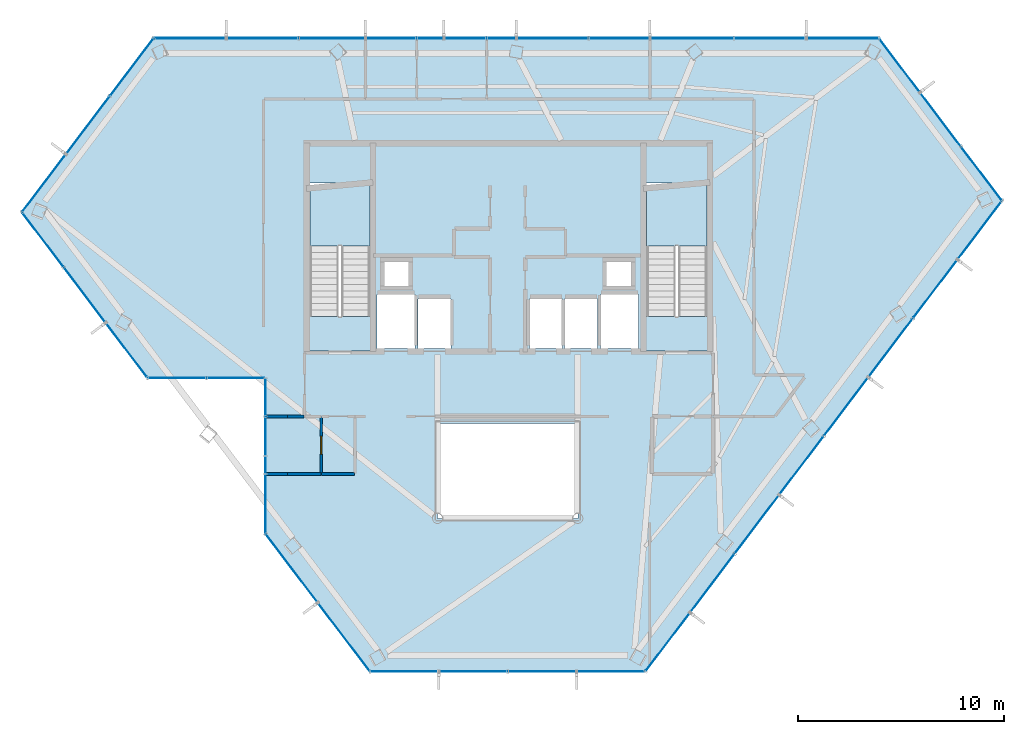
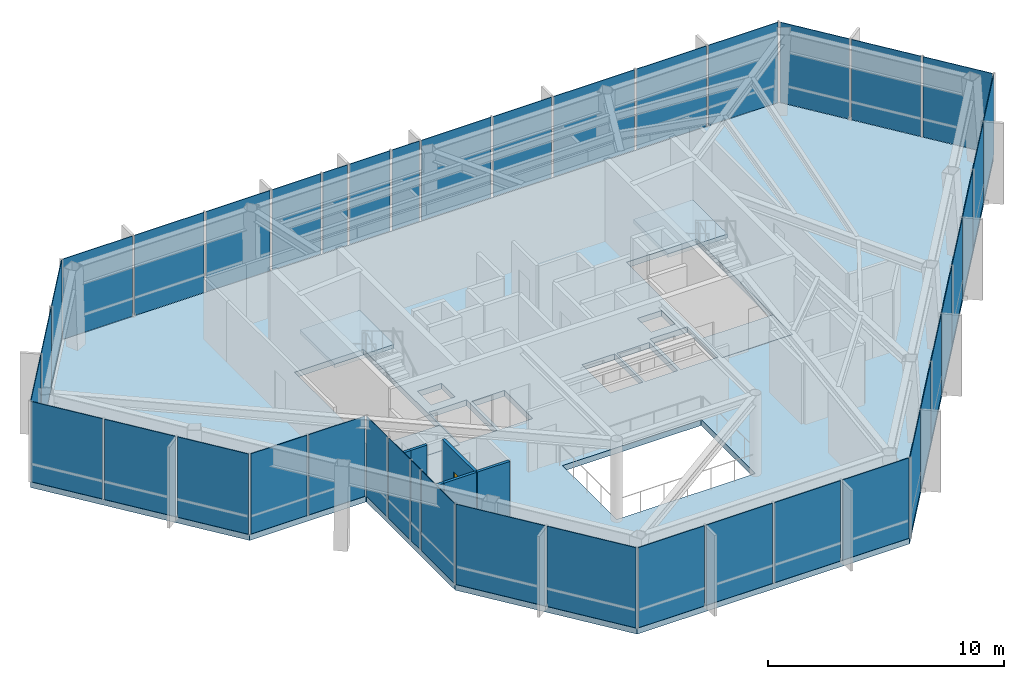
# One storey, part 18 of 22: 41 plates, 6 walls, 5 slabs, 1 door, 1 opening, 11 elements without a shape of their own.
"""IFC4 building model written with IfcOpenShell, lengths in metres."""

from ifc_helpers import new_model, si_unit, direction, frame, frame_2d, origin, origin_2d, place, context, subcontext, project, spatial, polyline, rectangle, outline, extrude, material, layer, layer_set, type_object, element, fill, aggregate, save


model = new_model("IFC4")

# Units and contexts
model_context = context("Model", 3, precision=1e-05, world=origin(), true_north=direction((0.0, 1.0)))
body_context = subcontext(model_context, "Body", "Model", "MODEL_VIEW")
ifc_project = project(units=[si_unit("LENGTHUNIT", "METRE"), si_unit("AREAUNIT", "SQUARE_METRE"), si_unit("VOLUMEUNIT", "CUBIC_METRE"), si_unit("PLANEANGLEUNIT", "RADIAN"), si_unit("MASSUNIT", "GRAM", prefix="KILO")], contexts=[model_context])

# Site, building, storey
site_placement = place(None, origin())
site = spatial("IfcSite", under=ifc_project, at=site_placement, CompositionType="ELEMENT")
building_placement = place(site_placement, origin())
building = spatial("IfcBuilding", under=site, at=building_placement, Name="Zarrinselat Tower", CompositionType="ELEMENT")
storey_placement = place(building_placement, frame((0.0, 0.0, 204.340087890625)))
storey = spatial("IfcBuildingStorey", under=building, at=storey_placement, Name="L50", CompositionType="ELEMENT", Elevation=204.340087890625)

# Curtain wall, plates
ifc_material_1 = material(Name="Extruded Aluminium Alloy EN AW-6063 T6", Category="aluminium")
ifc_layer_1 = layer(ifc_material_1, 0.195068359375)
ifc_layer_set_1 = layer_set([ifc_layer_1], Name="Extruded Aluminium Alloy EN AW-6063 T6")
curtain_wall_type_1 = type_object("IfcCurtainWallType", Name="CWS-GDN", PredefinedType="NOTDEFINED", material=ifc_layer_set_1)
curtain_wall_1_placement = place(storey_placement, origin())
curtain_wall_1 = element("IfcCurtainWall", 1, at=curtain_wall_1_placement, inside=storey, type_object=curtain_wall_type_1, Name="L50 Unitised Curtain Wall CW-L50-E01", PredefinedType="NOTDEFINED")
ifc_material_2 = material(Name="Double Low-E Laminated Solar Glass", Category="glass")
ifc_layer_2 = layer(ifc_material_2, 0.031982421875)
ifc_layer_set_2 = layer_set([ifc_layer_2], Name="Double Low-E Laminated Solar Glass")
plate_type = type_object("IfcPlateType", Name="PLT-CW-GL32", PredefinedType="CURTAIN_PANEL", material=ifc_layer_set_2)
plate_1_placement = place(storey_placement, frame((15.9072265625, 41.463134765625, 0.02001953125), z_axis=(0.0, 0.0, 1.0), x_axis=(0.603857870018, 0.797092010258, 0.0)))
plate_1 = element("IfcPlate", 2, at=plate_1_placement, type_object=plate_type, Name="CW-L50-E01 Vision Glass Panel 1", PredefinedType="CURTAIN_PANEL", context=body_context, shape_type="SweptSolid", body=[
    extrude(rectangle(XDim=3.42578125, YDim=0.031982421875, at=origin_2d()), origin(), (0.0, 0.0, 1.0), 4.159912109375),
])
plate_2_placement = place(storey_placement, frame((18.036376953125, 44.2734375, 0.02001953125), z_axis=(0.0, 0.0, 1.0), x_axis=(0.603857870018, 0.797092010258, 0.0)))
plate_2 = element("IfcPlate", 3, at=plate_2_placement, type_object=plate_type, Name="CW-L50-E01 Vision Glass Panel 2", PredefinedType="CURTAIN_PANEL", context=body_context, shape_type="SweptSolid", body=[
    extrude(rectangle(XDim=3.42578125, YDim=0.031982421875, at=origin_2d()), origin(), (0.0, 0.0, 1.0), 4.159912109375),
])
plate_3_placement = place(storey_placement, frame((20.165283203125, 47.083740234375, 0.02001953125), z_axis=(0.0, 0.0, 1.0), x_axis=(0.603857870018, 0.797092010258, 0.0)))
plate_3 = element("IfcPlate", 4, at=plate_3_placement, type_object=plate_type, Name="CW-L50-E01 Vision Glass Panel 3", PredefinedType="CURTAIN_PANEL", context=body_context, shape_type="SweptSolid", body=[
    extrude(rectangle(XDim=3.42578125, YDim=0.031982421875, at=origin_2d()), origin(), (0.0, 0.0, 1.0), 4.159912109375),
])
aggregate(curtain_wall_1, [plate_1, plate_2, plate_3])

curtain_wall_2_placement = place(storey_placement, origin())
curtain_wall_2 = element("IfcCurtainWall", 5, at=curtain_wall_2_placement, inside=storey, type_object=curtain_wall_type_1, Name="L50 Unitised Curtain Wall CW-L50-E02", PredefinedType="NOTDEFINED")
plate_4_placement = place(storey_placement, frame((22.988525390625, 48.489013671875, 0.02001953125), z_axis=(0.0, 0.0, 1.0), x_axis=(1.0, 0.0, 0.0)))
plate_4 = element("IfcPlate", 6, at=plate_4_placement, type_object=plate_type, Name="CW-L50-E02 Vision Glass Panel 1", PredefinedType="CURTAIN_PANEL", context=body_context, shape_type="SweptSolid", body=[
    extrude(rectangle(XDim=3.417236328125, YDim=0.031982421875, at=origin_2d()), origin(), (0.0, 0.0, 1.0), 4.159912109375),
])
plate_5_placement = place(storey_placement, frame((26.505859375, 48.489013671875, 0.02001953125), z_axis=(0.0, 0.0, 1.0), x_axis=(1.0, 0.0, 0.0)))
plate_5 = element("IfcPlate", 7, at=plate_5_placement, type_object=plate_type, Name="CW-L50-E02 Vision Glass Panel 2", PredefinedType="CURTAIN_PANEL", context=body_context, shape_type="SweptSolid", body=[
    extrude(rectangle(XDim=3.417236328125, YDim=0.031982421875, at=origin_2d()), origin(), (0.0, 0.0, 1.0), 4.159912109375),
])
plate_6_placement = place(storey_placement, frame((29.882080078125, 48.489013671875, 0.02001953125), z_axis=(0.0, 0.0, 1.0), x_axis=(1.0, 0.0, 0.0)))
plate_6 = element("IfcPlate", 8, at=plate_6_placement, type_object=plate_type, Name="CW-L50-E02 Vision Glass Panel 3", PredefinedType="CURTAIN_PANEL", context=body_context, shape_type="SweptSolid", body=[
    extrude(rectangle(XDim=3.135498046875, YDim=0.031982421875, at=origin_2d()), origin(), (0.0, 0.0, 1.0), 4.159912109375),
])
plate_7_placement = place(storey_placement, frame((32.741943359375, 48.489013671875, 0.02001953125), z_axis=(0.0, 0.0, 1.0), x_axis=(1.0, 0.0, 0.0)))
plate_7 = element("IfcPlate", 9, at=plate_7_placement, type_object=plate_type, Name="CW-L50-E02 Vision Glass Panel 4", PredefinedType="CURTAIN_PANEL", context=body_context, shape_type="SweptSolid", body=[
    extrude(rectangle(XDim=2.384033203125, YDim=0.031982421875, at=origin_2d()), origin(), (0.0, 0.0, 1.0), 4.159912109375),
])
plate_8_placement = place(storey_placement, frame((34.6416015625, 48.489013671875, 0.02001953125), z_axis=(0.0, 0.0, 1.0), x_axis=(1.0, 0.0, 0.0)))
plate_8 = element("IfcPlate", 10, at=plate_8_placement, type_object=plate_type, Name="CW-L50-E02 Vision Glass Panel 5", PredefinedType="CURTAIN_PANEL", context=body_context, shape_type="SweptSolid", body=[
    extrude(rectangle(XDim=1.215087890625, YDim=0.031982421875, at=origin_2d()), origin(), (0.0, 0.0, 1.0), 4.159912109375),
])
plate_9_placement = place(storey_placement, frame((36.3388671875, 48.489013671875, 0.02001953125), z_axis=(0.0, 0.0, 1.0), x_axis=(1.0, 0.0, 0.0)))
plate_9 = element("IfcPlate", 11, at=plate_9_placement, type_object=plate_type, Name="CW-L50-E02 Vision Glass Panel 6", PredefinedType="CURTAIN_PANEL", context=body_context, shape_type="SweptSolid", body=[
    extrude(rectangle(XDim=1.979736328125, YDim=0.031982421875, at=origin_2d()), origin(), (0.0, 0.0, 1.0), 4.159912109375),
])
plate_10_placement = place(storey_placement, frame((38.097412109375, 48.489013671875, 0.02001953125), z_axis=(0.0, 0.0, 1.0), x_axis=(1.0, 0.0, 0.0)))
plate_10 = element("IfcPlate", 12, at=plate_10_placement, type_object=plate_type, Name="CW-L50-E02 Vision Glass Panel 7", PredefinedType="CURTAIN_PANEL", context=body_context, shape_type="SweptSolid", body=[
    extrude(rectangle(XDim=1.33740234375, YDim=0.031982421875, at=origin_2d()), origin(), (0.0, 0.0, 1.0), 4.159912109375),
])
plate_11_placement = place(storey_placement, frame((40.574951171875, 48.489013671875, 0.02001953125), z_axis=(0.0, 0.0, 1.0), x_axis=(1.0, 0.0, 0.0)))
plate_11 = element("IfcPlate", 13, at=plate_11_placement, type_object=plate_type, Name="CW-L50-E02 Vision Glass Panel 8", PredefinedType="CURTAIN_PANEL", context=body_context, shape_type="SweptSolid", body=[
    extrude(rectangle(XDim=3.417236328125, YDim=0.031982421875, at=origin_2d()), origin(), (0.0, 0.0, 1.0), 4.159912109375),
])
plate_12_placement = place(storey_placement, frame((43.81689453125, 48.489013671875, 0.02001953125), z_axis=(0.0, 0.0, 1.0), x_axis=(1.0, 0.0, 0.0)))
plate_12 = element("IfcPlate", 14, at=plate_12_placement, type_object=plate_type, Name="CW-L50-E02 Vision Glass Panel 9", PredefinedType="CURTAIN_PANEL", context=body_context, shape_type="SweptSolid", body=[
    extrude(rectangle(XDim=2.866455078125, YDim=0.031982421875, at=origin_2d()), origin(), (0.0, 0.0, 1.0), 4.159912109375),
])
plate_13_placement = place(storey_placement, frame((47.333984375, 48.489013671875, 0.02001953125), z_axis=(0.0, 0.0, 1.0), x_axis=(1.0, 0.0, 0.0)))
plate_13 = element("IfcPlate", 15, at=plate_13_placement, type_object=plate_type, Name="CW-L50-E02 Vision Glass Panel 10", PredefinedType="CURTAIN_PANEL", context=body_context, shape_type="SweptSolid", body=[
    extrude(rectangle(XDim=3.968017578125, YDim=0.031982421875, at=origin_2d()), origin(), (0.0, 0.0, 1.0), 4.159912109375),
])
plate_14_placement = place(storey_placement, frame((51.126708984375, 48.489013671875, 0.02001953125), z_axis=(0.0, 0.0, 1.0), x_axis=(1.0, 0.0, 0.0)))
plate_14 = element("IfcPlate", 16, at=plate_14_placement, type_object=plate_type, Name="CW-L50-E02 Vision Glass Panel 11", PredefinedType="CURTAIN_PANEL", context=body_context, shape_type="SweptSolid", body=[
    extrude(rectangle(XDim=3.417236328125, YDim=0.031982421875, at=origin_2d()), origin(), (0.0, 0.0, 1.0), 4.159912109375),
])
plate_15_placement = place(storey_placement, frame((54.64404296875, 48.489013671875, 0.02001953125), z_axis=(0.0, 0.0, 1.0), x_axis=(1.0, 0.0, 0.0)))
plate_15 = element("IfcPlate", 17, at=plate_15_placement, type_object=plate_type, Name="CW-L50-E02 Vision Glass Panel 12", PredefinedType="CURTAIN_PANEL", context=body_context, shape_type="SweptSolid", body=[
    extrude(rectangle(XDim=3.417236328125, YDim=0.031982421875, at=origin_2d()), origin(), (0.0, 0.0, 1.0), 4.159912109375),
])
aggregate(curtain_wall_2, [plate_4, plate_5, plate_6, plate_7, plate_8, plate_9, plate_10, plate_11, plate_12, plate_13, plate_14, plate_15])

curtain_wall_3_placement = place(storey_placement, origin())
curtain_wall_3 = element("IfcCurtainWall", 18, at=curtain_wall_3_placement, inside=storey, type_object=curtain_wall_type_1, Name="L50 Unitised Curtain Wall CW-L50-E03", PredefinedType="NOTDEFINED")
plate_16_placement = place(storey_placement, frame((57.397705078125, 47.17529296875, 0.02001953125), z_axis=(0.0, 0.0, 1.0), x_axis=(0.603852236026, -0.797096278405, 0.0)))
plate_16 = element("IfcPlate", 19, at=plate_16_placement, type_object=plate_type, Name="CW-L50-E03 Vision Glass Panel 1", PredefinedType="CURTAIN_PANEL", context=body_context, shape_type="SweptSolid", body=[
    extrude(rectangle(XDim=3.196044921875, YDim=0.031982421875, at=origin_2d()), origin(), (0.0, 0.0, 1.0), 4.159912109375),
])
plate_17_placement = place(storey_placement, frame((59.387939453125, 44.548095703125, 0.02001953125), z_axis=(0.0, 0.0, 1.0), x_axis=(0.603852236026, -0.797096278405, 0.0)))
plate_17 = element("IfcPlate", 20, at=plate_17_placement, type_object=plate_type, Name="CW-L50-E03 Vision Glass Panel 2", PredefinedType="CURTAIN_PANEL", context=body_context, shape_type="SweptSolid", body=[
    extrude(rectangle(XDim=3.196044921875, YDim=0.031982421875, at=origin_2d()), origin(), (0.0, 0.0, 1.0), 4.159912109375),
])
plate_18_placement = place(storey_placement, frame((61.37841796875, 41.9208984375, 0.02001953125), z_axis=(0.0, 0.0, 1.0), x_axis=(0.603852236026, -0.797096278405, 0.0)))
plate_18 = element("IfcPlate", 21, at=plate_18_placement, type_object=plate_type, Name="CW-L50-E03 Vision Glass Panel 3", PredefinedType="CURTAIN_PANEL", context=body_context, shape_type="SweptSolid", body=[
    extrude(rectangle(XDim=3.196044921875, YDim=0.031982421875, at=origin_2d()), origin(), (0.0, 0.0, 1.0), 4.159912109375),
])
aggregate(curtain_wall_3, [plate_16, plate_17, plate_18])

curtain_wall_4_placement = place(storey_placement, origin())
curtain_wall_4 = element("IfcCurtainWall", 22, at=curtain_wall_4_placement, inside=storey, type_object=curtain_wall_type_1, Name="L50 Unitised Curtain Wall CW-L50-E04", PredefinedType="NOTDEFINED")
plate_19_placement = place(storey_placement, frame((61.292724609375, 39.1806640625, 0.02001953125), z_axis=(0.0, 0.0, 1.0), x_axis=(-0.603858158606, -0.79709179163, 0.0)))
plate_19 = element("IfcPlate", 23, at=plate_19_placement, type_object=plate_type, Name="CW-L50-E04 Vision Glass Panel 1", PredefinedType="CURTAIN_PANEL", context=body_context, shape_type="SweptSolid", body=[
    extrude(rectangle(XDim=3.479736328125, YDim=0.031982421875, at=origin_2d()), origin(), (0.0, 0.0, 1.0), 4.159912109375),
])
plate_20_placement = place(storey_placement, frame((59.131103515625, 36.327392578125, 0.02001953125), z_axis=(0.0, 0.0, 1.0), x_axis=(-0.603858158606, -0.79709179163, 0.0)))
plate_20 = element("IfcPlate", 24, at=plate_20_placement, type_object=plate_type, Name="CW-L50-E04 Vision Glass Panel 2", PredefinedType="CURTAIN_PANEL", context=body_context, shape_type="SweptSolid", body=[
    extrude(rectangle(XDim=3.479736328125, YDim=0.031982421875, at=origin_2d()), origin(), (0.0, 0.0, 1.0), 4.159912109375),
])
plate_21_placement = place(storey_placement, frame((56.969482421875, 33.47412109375, 0.02001953125), z_axis=(0.0, 0.0, 1.0), x_axis=(-0.603858158606, -0.79709179163, 0.0)))
plate_21 = element("IfcPlate", 25, at=plate_21_placement, type_object=plate_type, Name="CW-L50-E04 Vision Glass Panel 3", PredefinedType="CURTAIN_PANEL", context=body_context, shape_type="SweptSolid", body=[
    extrude(rectangle(XDim=3.479736328125, YDim=0.031982421875, at=origin_2d()), origin(), (0.0, 0.0, 1.0), 4.159912109375),
])
plate_22_placement = place(storey_placement, frame((54.807861328125, 30.62060546875, 0.02001953125), z_axis=(0.0, 0.0, 1.0), x_axis=(-0.603858158606, -0.79709179163, 0.0)))
plate_22 = element("IfcPlate", 26, at=plate_22_placement, type_object=plate_type, Name="CW-L50-E04 Vision Glass Panel 4", PredefinedType="CURTAIN_PANEL", context=body_context, shape_type="SweptSolid", body=[
    extrude(rectangle(XDim=3.479736328125, YDim=0.031982421875, at=origin_2d()), origin(), (0.0, 0.0, 1.0), 4.159912109375),
])
plate_23_placement = place(storey_placement, frame((52.646240234375, 27.767333984375, 0.02001953125), z_axis=(0.0, 0.0, 1.0), x_axis=(-0.603858158606, -0.79709179163, 0.0)))
plate_23 = element("IfcPlate", 27, at=plate_23_placement, type_object=plate_type, Name="CW-L50-E04 Vision Glass Panel 5", PredefinedType="CURTAIN_PANEL", context=body_context, shape_type="SweptSolid", body=[
    extrude(rectangle(XDim=3.479736328125, YDim=0.031982421875, at=origin_2d()), origin(), (0.0, 0.0, 1.0), 4.159912109375),
])
plate_24_placement = place(storey_placement, frame((50.484619140625, 24.9140625, 0.02001953125), z_axis=(0.0, 0.0, 1.0), x_axis=(-0.603858158606, -0.79709179163, 0.0)))
plate_24 = element("IfcPlate", 28, at=plate_24_placement, type_object=plate_type, Name="CW-L50-E04 Vision Glass Panel 6", PredefinedType="CURTAIN_PANEL", context=body_context, shape_type="SweptSolid", body=[
    extrude(rectangle(XDim=3.479736328125, YDim=0.031982421875, at=origin_2d()), origin(), (0.0, 0.0, 1.0), 4.159912109375),
])
plate_25_placement = place(storey_placement, frame((48.322998046875, 22.060791015625, 0.02001953125), z_axis=(0.0, 0.0, 1.0), x_axis=(-0.603858158606, -0.79709179163, 0.0)))
plate_25 = element("IfcPlate", 29, at=plate_25_placement, type_object=plate_type, Name="CW-L50-E04 Vision Glass Panel 7", PredefinedType="CURTAIN_PANEL", context=body_context, shape_type="SweptSolid", body=[
    extrude(rectangle(XDim=3.479736328125, YDim=0.031982421875, at=origin_2d()), origin(), (0.0, 0.0, 1.0), 4.159912109375),
])
plate_26_placement = place(storey_placement, frame((46.161376953125, 19.20751953125, 0.02001953125), z_axis=(0.0, 0.0, 1.0), x_axis=(-0.603858158606, -0.79709179163, 0.0)))
plate_26 = element("IfcPlate", 30, at=plate_26_placement, type_object=plate_type, Name="CW-L50-E04 Vision Glass Panel 8", PredefinedType="CURTAIN_PANEL", context=body_context, shape_type="SweptSolid", body=[
    extrude(rectangle(XDim=3.479736328125, YDim=0.031982421875, at=origin_2d()), origin(), (0.0, 0.0, 1.0), 4.159912109375),
])
aggregate(curtain_wall_4, [plate_19, plate_20, plate_21, plate_22, plate_23, plate_24, plate_25, plate_26])

curtain_wall_5_placement = place(storey_placement, origin())
curtain_wall_5 = element("IfcCurtainWall", 31, at=curtain_wall_5_placement, inside=storey, type_object=curtain_wall_type_1, Name="L50 Unitised Curtain Wall CW-L50-E05", PredefinedType="NOTDEFINED")
plate_27_placement = place(storey_placement, frame((43.410400390625, 17.78076171875, 0.02001953125), z_axis=(0.0, 0.0, 1.0), x_axis=(-1.0, 0.0, 0.0)))
plate_27 = element("IfcPlate", 32, at=plate_27_placement, type_object=plate_type, Name="CW-L50-E05 Vision Glass Panel 1", PredefinedType="CURTAIN_PANEL", context=body_context, shape_type="SweptSolid", body=[
    extrude(rectangle(XDim=3.240234375, YDim=0.031982421875, at=origin_2d()), origin(), (0.0, 0.0, 1.0), 4.159912109375),
])
plate_28_placement = place(storey_placement, frame((40.070068359375, 17.78076171875, 0.02001953125), z_axis=(0.0, 0.0, 1.0), x_axis=(-1.0, 0.0, 0.0)))
plate_28 = element("IfcPlate", 33, at=plate_28_placement, type_object=plate_type, Name="CW-L50-E05 Vision Glass Panel 2", PredefinedType="CURTAIN_PANEL", context=body_context, shape_type="SweptSolid", body=[
    extrude(rectangle(XDim=3.240234375, YDim=0.031982421875, at=origin_2d()), origin(), (0.0, 0.0, 1.0), 4.159912109375),
])
plate_29_placement = place(storey_placement, frame((36.729736328125, 17.78076171875, 0.02001953125), z_axis=(0.0, 0.0, 1.0), x_axis=(-1.0, 0.0, 0.0)))
plate_29 = element("IfcPlate", 34, at=plate_29_placement, type_object=plate_type, Name="CW-L50-E05 Vision Glass Panel 3", PredefinedType="CURTAIN_PANEL", context=body_context, shape_type="SweptSolid", body=[
    extrude(rectangle(XDim=3.240234375, YDim=0.031982421875, at=origin_2d()), origin(), (0.0, 0.0, 1.0), 4.159912109375),
])
plate_30_placement = place(storey_placement, frame((33.389404296875, 17.78076171875, 0.02001953125), z_axis=(0.0, 0.0, 1.0), x_axis=(-1.0, 0.0, 0.0)))
plate_30 = element("IfcPlate", 35, at=plate_30_placement, type_object=plate_type, Name="CW-L50-E05 Vision Glass Panel 4", PredefinedType="CURTAIN_PANEL", context=body_context, shape_type="SweptSolid", body=[
    extrude(rectangle(XDim=3.240234375, YDim=0.031982421875, at=origin_2d()), origin(), (0.0, 0.0, 1.0), 4.159912109375),
])
aggregate(curtain_wall_5, [plate_27, plate_28, plate_29, plate_30])

curtain_wall_6_placement = place(storey_placement, origin())
curtain_wall_6 = element("IfcCurtainWall", 36, at=curtain_wall_6_placement, inside=storey, type_object=curtain_wall_type_1, Name="L50 Unitised Curtain Wall CW-L50-E06", PredefinedType="NOTDEFINED")
plate_31_placement = place(storey_placement, frame((30.4541015625, 19.451171875, 0.02001953125), z_axis=(0.0, 0.0, 1.0), x_axis=(-0.603858445775, 0.797091574078, 0.0)))
plate_31 = element("IfcPlate", 37, at=plate_31_placement, type_object=plate_type, Name="CW-L50-E06 Vision Glass Panel 1", PredefinedType="CURTAIN_PANEL", context=body_context, shape_type="SweptSolid", body=[
    extrude(rectangle(XDim=4.091064453125, YDim=0.031982421875, at=origin_2d()), origin(), (0.0, 0.0, 1.0), 4.159912109375),
])
plate_32_placement = place(storey_placement, frame((27.923095703125, 22.791748046875, 0.02001953125), z_axis=(0.0, 0.0, 1.0), x_axis=(-0.603858445775, 0.797091574078, 0.0)))
plate_32 = element("IfcPlate", 38, at=plate_32_placement, type_object=plate_type, Name="CW-L50-E06 Vision Glass Panel 2", PredefinedType="CURTAIN_PANEL", context=body_context, shape_type="SweptSolid", body=[
    extrude(rectangle(XDim=4.091064453125, YDim=0.031982421875, at=origin_2d()), origin(), (0.0, 0.0, 1.0), 4.159912109375),
])
aggregate(curtain_wall_6, [plate_31, plate_32])

ifc_material_3 = material(Name="Extruded Aluminium Alloy EN AW-6063 T6", Category="aluminium")
ifc_layer_3 = layer(ifc_material_3, 0.18994140625)
ifc_layer_set_3 = layer_set([ifc_layer_3], Name="Extruded Aluminium Alloy EN AW-6063 T6")
curtain_wall_type_2 = type_object("IfcCurtainWallType", Name="CWS-SG", PredefinedType="NOTDEFINED", material=ifc_layer_set_3)
curtain_wall_7_placement = place(storey_placement, origin())
curtain_wall_7 = element("IfcCurtainWall", 39, at=curtain_wall_7_placement, inside=storey, type_object=curtain_wall_type_2, Name="L50 Unitised Curtain Wall CW-L50-E07", PredefinedType="NOTDEFINED")
plate_33_placement = place(storey_placement, frame((26.65771484375, 25.906005859375, 0.02001953125), z_axis=(0.0, 0.0, 1.0), x_axis=(0.0, 1.0, 0.0)))
plate_33 = element("IfcPlate", 40, at=plate_33_placement, type_object=plate_type, Name="CW-L50-E07 Vision Glass Panel 1", PredefinedType="CURTAIN_PANEL", context=body_context, shape_type="SweptSolid", body=[
    extrude(rectangle(XDim=2.787841796875, YDim=0.031982421875, at=origin_2d()), origin(), (0.0, 0.0, 1.0), 4.159912109375),
])
plate_34_placement = place(storey_placement, frame((26.65771484375, 27.79052734375, 0.02001953125), z_axis=(0.0, 0.0, 1.0), x_axis=(0.0, 1.0, 0.0)))
plate_34 = element("IfcPlate", 41, at=plate_34_placement, type_object=plate_type, Name="CW-L50-E07 Vision Glass Panel 2", PredefinedType="CURTAIN_PANEL", context=body_context, shape_type="SweptSolid", body=[
    extrude(rectangle(XDim=0.781005859375, YDim=0.031982421875, at=origin_2d()), origin(), (0.0, 0.0, 1.0), 4.159912109375),
])
plate_35_placement = place(storey_placement, frame((26.65771484375, 29.1904296875, 0.02001953125), z_axis=(0.0, 0.0, 1.0), x_axis=(0.0, 1.0, 0.0)))
plate_35 = element("IfcPlate", 42, at=plate_35_placement, type_object=plate_type, Name="CW-L50-E07 Vision Glass Panel 3", PredefinedType="CURTAIN_PANEL", context=body_context, shape_type="SweptSolid", body=[
    extrude(rectangle(XDim=1.81884765625, YDim=0.031982421875, at=origin_2d()), origin(), (0.0, 0.0, 1.0), 4.159912109375),
])
plate_36_placement = place(storey_placement, frame((26.65771484375, 31.074951171875, 0.02001953125), z_axis=(0.0, 0.0, 1.0), x_axis=(0.0, 1.0, 0.0)))
plate_36 = element("IfcPlate", 43, at=plate_36_placement, type_object=plate_type, Name="CW-L50-E07 Vision Glass Panel 4", PredefinedType="CURTAIN_PANEL", context=body_context, shape_type="SweptSolid", body=[
    extrude(rectangle(XDim=1.75, YDim=0.031982421875, at=origin_2d()), origin(), (0.0, 0.0, 1.0), 4.159912109375),
])
aggregate(curtain_wall_7, [plate_33, plate_34, plate_35, plate_36])

curtain_wall_8_placement = place(storey_placement, origin())
curtain_wall_8 = element("IfcCurtainWall", 44, at=curtain_wall_8_placement, inside=storey, type_object=curtain_wall_type_2, Name="L50 Unitised Curtain Wall CW-L50-E24", PredefinedType="NOTDEFINED")
plate_37_placement = place(storey_placement, frame((25.216064453125, 32.014892578125, 0.02001953125), z_axis=(0.0, 0.0, 1.0), x_axis=(-1.0, 0.0, 0.0)))
plate_37 = element("IfcPlate", 45, at=plate_37_placement, type_object=plate_type, Name="CW-L50-E24 Vision Glass Panel 1", PredefinedType="CURTAIN_PANEL", context=body_context, shape_type="SweptSolid", body=[
    extrude(rectangle(XDim=2.75341796875, YDim=0.031982421875, at=origin_2d()), origin(), (0.0, 0.0, 1.0), 4.159912109375),
])
plate_38_placement = place(storey_placement, frame((22.362548828125, 32.014892578125, 0.02001953125), z_axis=(0.0, 0.0, 1.0), x_axis=(-1.0, 0.0, 0.0)))
plate_38 = element("IfcPlate", 46, at=plate_38_placement, type_object=plate_type, Name="CW-L50-E24 Vision Glass Panel 2", PredefinedType="CURTAIN_PANEL", context=body_context, shape_type="SweptSolid", body=[
    extrude(rectangle(XDim=2.75341796875, YDim=0.031982421875, at=origin_2d()), origin(), (0.0, 0.0, 1.0), 4.159912109375),
])
aggregate(curtain_wall_8, [plate_37, plate_38])

curtain_wall_9_placement = place(storey_placement, origin())
curtain_wall_9 = element("IfcCurtainWall", 47, at=curtain_wall_9_placement, inside=storey, type_object=curtain_wall_type_1, Name="L50 Unitised Curtain Wall CW-L50-E25", PredefinedType="NOTDEFINED")
plate_39_placement = place(storey_placement, frame((19.92041015625, 33.35546875, 0.02001953125), z_axis=(0.0, 0.0, 1.0), x_axis=(-0.603858445775, 0.797091574078, 0.0)))
plate_39 = element("IfcPlate", 48, at=plate_39_placement, type_object=plate_type, Name="CW-L50-E25 Vision Glass Panel 1", PredefinedType="CURTAIN_PANEL", context=body_context, shape_type="SweptSolid", body=[
    extrude(rectangle(XDim=3.263427734375, YDim=0.031982421875, at=origin_2d()), origin(), (0.0, 0.0, 1.0), 4.159912109375),
])
plate_40_placement = place(storey_placement, frame((17.889404296875, 36.03662109375, 0.02001953125), z_axis=(0.0, 0.0, 1.0), x_axis=(-0.603858445775, 0.797091574078, 0.0)))
plate_40 = element("IfcPlate", 49, at=plate_40_placement, type_object=plate_type, Name="CW-L50-E25 Vision Glass Panel 2", PredefinedType="CURTAIN_PANEL", context=body_context, shape_type="SweptSolid", body=[
    extrude(rectangle(XDim=3.263427734375, YDim=0.031982421875, at=origin_2d()), origin(), (0.0, 0.0, 1.0), 4.159912109375),
])
plate_41_placement = place(storey_placement, frame((15.858154296875, 38.71728515625, 0.02001953125), z_axis=(0.0, 0.0, 1.0), x_axis=(-0.603858445775, 0.797091574078, 0.0)))
plate_41 = element("IfcPlate", 50, at=plate_41_placement, type_object=plate_type, Name="CW-L50-E25 Vision Glass Panel 3", PredefinedType="CURTAIN_PANEL", context=body_context, shape_type="SweptSolid", body=[
    extrude(rectangle(XDim=3.263427734375, YDim=0.031982421875, at=origin_2d()), origin(), (0.0, 0.0, 1.0), 4.159912109375),
])
aggregate(curtain_wall_9, [plate_39, plate_40, plate_41])

# Slabs
ifc_material_4 = material(Name="Concrete C40/50", Category="concrete")
ifc_layer_4 = layer(ifc_material_4, 0.300048828125)
ifc_layer_set_4 = layer_set([ifc_layer_4], Name="Concrete C40/50")
slab_type_1 = type_object("IfcSlabType", Name="SLB-FLOOR-300-SL-SK300", PredefinedType="FLOOR", material=ifc_layer_set_4)
slab_1_placement = place(storey_placement, frame((0.0, 0.0, -0.300048828125)))
element("IfcSlab", 51, at=slab_1_placement, inside=storey, type_object=slab_type_1, Name="L50 Primary Structural Slab", PredefinedType="FLOOR", context=body_context, shape_type="SweptSolid", body=[
    extrude(outline(polyline([(14.8427734375, 40.057861328125), (21.22998046875, 48.489013671875), (56.402587890625, 48.489013671875), (62.37353515625, 40.607421875), (45.08056640625, 17.78076171875), (31.719482421875, 17.78076171875), (26.65771484375, 24.462158203125), (26.65771484375, 32.0), (26.65771484375, 32.00146484375), (26.657470703125, 32.0029296875), (26.656982421875, 32.00439453125), (26.656494140625, 32.005615234375), (26.656005859375, 32.007080078125), (26.6552734375, 32.00830078125), (26.654296875, 32.009521484375), (26.6533203125, 32.010498046875), (26.652099609375, 32.01171875), (26.65087890625, 32.012451171875), (26.64990234375, 32.01318359375), (26.6484375, 32.013916015625), (26.647216796875, 32.014404296875), (26.6455078125, 32.0146484375), (26.644287109375, 32.014892578125), (26.642578125, 32.014892578125), (20.935791015625, 32.014892578125), (14.8427734375, 40.057861328125)]), holes=[polyline([(41.800048828125, 25.199951171875), (35.0, 25.199951171875), (35.0, 29.800048828125), (41.800048828125, 29.800048828125), (41.800048828125, 25.199951171875)]), polyline([(35.64990234375, 33.449951171875), (34.050048828125, 33.449951171875), (34.050048828125, 35.85009765625), (35.64990234375, 35.85009765625), (35.64990234375, 33.449951171875)]), polyline([(41.050048828125, 33.449951171875), (39.449951171875, 33.449951171875), (39.449951171875, 35.85009765625), (41.050048828125, 35.85009765625), (41.050048828125, 33.449951171875)]), polyline([(41.14990234375, 33.449951171875), (41.14990234375, 35.85009765625), (42.75, 35.85009765625), (42.75, 33.449951171875), (41.14990234375, 33.449951171875)]), polyline([(32.06005859375, 33.449951171875), (32.06005859375, 36.050048828125), (33.89990234375, 36.050048828125), (33.89990234375, 33.449951171875), (32.06005859375, 33.449951171875)]), polyline([(44.739990234375, 33.449951171875), (42.89990234375, 33.449951171875), (42.89990234375, 36.050048828125), (44.739990234375, 36.050048828125), (44.739990234375, 33.449951171875)]), polyline([(33.60009765625, 36.47998046875), (32.419921875, 36.47998046875), (32.419921875, 37.639892578125), (33.60009765625, 37.639892578125), (33.60009765625, 36.47998046875)]), polyline([(44.3798828125, 36.47998046875), (43.199951171875, 36.47998046875), (43.199951171875, 37.639892578125), (44.3798828125, 37.639892578125), (44.3798828125, 36.47998046875)]), polyline([(31.985107421875, 33.324951171875), (28.60498046875, 33.324951171875), (28.60498046875, 41.47509765625), (31.985107421875, 41.47509765625), (31.985107421875, 33.324951171875)]), polyline([(48.324951171875, 33.324951171875), (44.875, 33.324951171875), (44.875, 41.47509765625), (48.324951171875, 41.47509765625), (48.324951171875, 33.324951171875)])]), origin(), (0.0, 0.0, 1.0), 0.300048828125),
])
slab_2_placement = place(storey_placement, frame((0.0, 0.0, -0.300048828125)))
element("IfcSlab", 52, at=slab_2_placement, inside=storey, type_object=slab_type_1, Name="L50 Stair ST-1-FL1 Structural Floor Landing", PredefinedType="FLOOR", context=body_context, shape_type="SweptSolid", body=[
    extrude(outline(polyline([(31.97998046875, 33.330078125), (31.97998046875, 35.0), (28.610107421875, 35.0), (28.610107421875, 33.330078125), (31.97998046875, 33.330078125)])), origin(), (0.0, 0.0, 1.0), 0.300048828125),
])
slab_3_placement = place(storey_placement, frame((0.0, 0.0, -0.300048828125)))
element("IfcSlab", 53, at=slab_3_placement, inside=storey, type_object=slab_type_1, Name="L50 Stair ST-2-FL1 Structural Floor Landing", PredefinedType="FLOOR", context=body_context, shape_type="SweptSolid", body=[
    extrude(outline(polyline([(48.320068359375, 33.330078125), (48.320068359375, 35.0), (44.8798828125, 35.0), (44.8798828125, 33.330078125), (48.320068359375, 33.330078125)])), origin(), (0.0, 0.0, 1.0), 0.300048828125),
])

# Stair, slab
ifc_material_5 = material(Name="Concrete C40/50", Category="concrete")
stair_type = type_object("IfcStairType", Name="STR-CORE-155", PredefinedType="HALF_TURN_STAIR", material=ifc_material_5)
stair_1_placement = place(storey_placement, origin())
stair_1 = element("IfcStair", 54, at=stair_1_placement, inside=storey, type_object=stair_type, Name="L50 Core Exit Stair 1", PredefinedType="HALF_TURN_STAIR")
ifc_material_6 = material(Name="Concrete C40/50", Category="concrete")
ifc_layer_5 = layer(ifc_material_6, 0.18994140625)
ifc_layer_set_5 = layer_set([ifc_layer_5], Name="Concrete C40/50")
slab_type_2 = type_object("IfcSlabType", Name="SLB-LND-190", PredefinedType="LANDING", material=ifc_layer_set_5)
slab_4_placement = place(storey_placement, frame((0.0, 0.0, 2.010009765625)))
slab_4 = element("IfcSlab", 55, at=slab_4_placement, type_object=slab_type_2, Name="ST-1 landing 1", PredefinedType="LANDING", context=body_context, shape_type="SweptSolid", body=[
    extrude(outline(polyline([(31.719970703125, 38.409912109375), (31.719970703125, 41.35009765625), (28.800048828125, 41.35009765625), (28.800048828125, 38.409912109375), (31.719970703125, 38.409912109375)])), origin(), (0.0, 0.0, 1.0), 0.199951171875),
])
aggregate(stair_1, [slab_4])

stair_2_placement = place(storey_placement, origin())
stair_2 = element("IfcStair", 56, at=stair_2_placement, inside=storey, type_object=stair_type, Name="L50 Core Exit Stair 2", PredefinedType="HALF_TURN_STAIR")
slab_5_placement = place(storey_placement, frame((0.0, 0.0, 2.010009765625)))
slab_5 = element("IfcSlab", 57, at=slab_5_placement, type_object=slab_type_2, Name="ST-2 landing 1", PredefinedType="LANDING", context=body_context, shape_type="SweptSolid", body=[
    extrude(outline(polyline([(48.06005859375, 38.409912109375), (48.06005859375, 41.35009765625), (45.139892578125, 41.35009765625), (45.139892578125, 38.409912109375), (48.06005859375, 38.409912109375)])), origin(), (0.0, 0.0, 1.0), 0.199951171875),
])
aggregate(stair_2, [slab_5])

# Wall, opening, door
ifc_material_7 = material(Name="Fire-Rated Gypsum Board Partition", Category="gypsum")
ifc_layer_6 = layer(ifc_material_7, 0.135009765625)
ifc_layer_set_6 = layer_set([ifc_layer_6], Name="Fire-Rated Gypsum Board Partition")
wall_type = type_object("IfcWallType", Name="WAL-PART-WET", PredefinedType="PARTITIONING", material=ifc_layer_set_6)
wall_1_placement = place(storey_placement, frame((29.360107421875, 27.3701171875, 0.0), z_axis=(0.0, 0.0, 1.0), x_axis=(0.0, 1.0, 0.0)))
wall_1 = element("IfcWall", 58, at=wall_1_placement, inside=storey, type_object=wall_type, Name="L50 Partition Wall 38", PredefinedType="PARTITIONING", context=body_context, shape_type="SweptSolid", body=[
    extrude(rectangle(XDim=2.759765625, YDim=0.135009765625, at=frame_2d((1.3798828125, 0.0))), origin(), (0.0, 0.0, 1.0), 3.156982421875),
])
opening_placement = place(wall_1_placement, frame((0.949951171875, 0.0, 0.0)))
opening = element("IfcOpeningElement", 59, at=opening_placement, cuts=wall_1, Name="Opening ID-06", PredefinedType="OPENING", context=body_context, shape_type="SweptSolid", body=[
    extrude(rectangle(XDim=0.860107421875, YDim=2.050048828125, at=frame_2d((0.43017578125, 1.02490234375))), frame((0.0, 0.077392578125, 0.0), z_axis=(0.0, -1.0, 0.0), x_axis=(1.0, 0.0, 0.0)), (0.0, 0.0, 1.0), 0.155029296875),
])
ifc_material_8 = material(Name="Extruded Aluminium Alloy EN AW-6063 T6", Category="aluminium")
door_type = type_object("IfcDoorType", Name="DR-INT-WET-900", OperationType="NOTDEFINED", PredefinedType="DOOR", material=ifc_material_8)
door_placement = place(opening_placement, origin())
door = element("IfcDoor", 60, at=door_placement, inside=storey, type_object=door_type, Name="L50 Interior Door P38", OperationType="SINGLE_SWING_LEFT", OverallHeight=2.050048828125, OverallWidth=0.860107421875, PredefinedType="DOOR", context=body_context, shape_type="SweptSolid", body=[
    extrude(rectangle(XDim=0.860107421875, YDim=2.050048828125, at=frame_2d((0.43017578125, 1.02490234375))), frame((0.0, 0.02490234375, 0.0), z_axis=(0.0, -1.0, 0.0), x_axis=(1.0, 0.0, 0.0)), (0.0, 0.0, 1.0), 0.050048828125),
])
fill(opening, door)

# Walls
wall_2_placement = place(storey_placement, frame((29.3798828125, 27.35009765625, 0.0), z_axis=(0.0, 0.0, 1.0), x_axis=(1.0, 0.0, 0.0)))
element("IfcWall", 61, at=wall_2_placement, inside=storey, type_object=wall_type, Name="L50 Partition Wall 39", PredefinedType="PARTITIONING", context=body_context, shape_type="SweptSolid", body=[
    extrude(rectangle(XDim=1.60009765625, YDim=0.135009765625, at=frame_2d((0.800048828125, 0.0))), origin(), (0.0, 0.0, 1.0), 3.156982421875),
])
wall_3_placement = place(storey_placement, frame((27.72998046875, 27.35009765625, 0.0), z_axis=(0.0, 0.0, 1.0), x_axis=(1.0, 0.0, 0.0)))
element("IfcWall", 62, at=wall_3_placement, inside=storey, type_object=wall_type, Name="L50 Partition Wall 41", PredefinedType="PARTITIONING", context=body_context, shape_type="SweptSolid", body=[
    extrude(rectangle(XDim=1.610107421875, YDim=0.135009765625, at=frame_2d((0.80517578125, 0.0))), origin(), (0.0, 0.0, 1.0), 3.156982421875),
])
for number, where, z_axis, x_axis, name in (
    (63, (26.672607421875, 27.35009765625, 0.0), (0.0, 0.0, 1.0), (1.0, 0.0, 0.0), "L50 Partition Wall 42"),
    (64, (26.672607421875, 30.14990234375, 0.0), (0.0, 0.0, 1.0), (1.0, 0.0, 0.0), "L50 Partition Wall 43"),
):
    element("IfcWall", number, at=place(storey_placement, frame(where, z_axis=z_axis, x_axis=x_axis)), inside=storey, type_object=wall_type, Name=name, PredefinedType="PARTITIONING", context=body_context, shape_type="SweptSolid", body=[
        extrude(rectangle(XDim=1.057373046875, YDim=0.135009765625, at=frame_2d((0.52880859375, 0.0))), origin(), (0.0, 0.0, 1.0), 3.156982421875),
    ])
wall_4_placement = place(storey_placement, frame((27.72998046875, 30.14990234375, 0.0), z_axis=(0.0, 0.0, 1.0), x_axis=(1.0, 0.0, 0.0)))
element("IfcWall", 65, at=wall_4_placement, inside=storey, type_object=wall_type, Name="L50 Partition Wall 44", PredefinedType="PARTITIONING", context=body_context, shape_type="SweptSolid", body=[
    extrude(rectangle(XDim=0.800048828125, YDim=0.135009765625, at=frame_2d((0.39990234375, 0.0))), origin(), (0.0, 0.0, 1.0), 3.156982421875),
])

save(model, "model.ifc")
